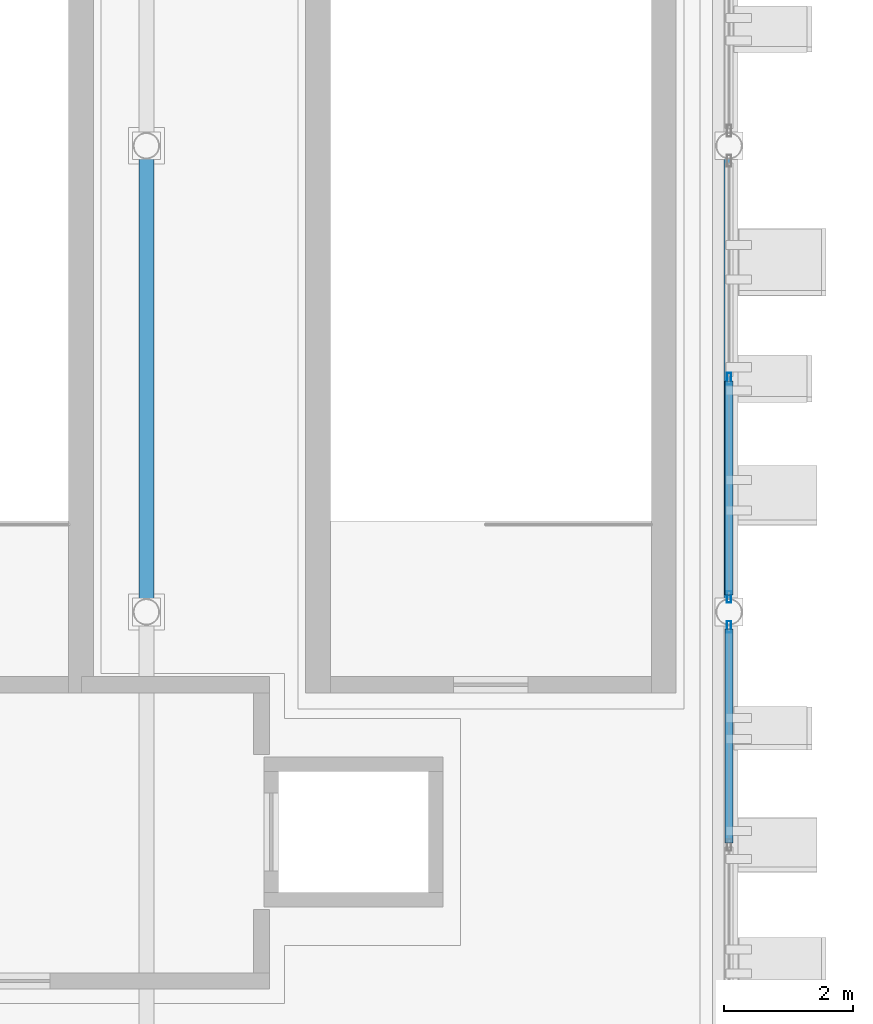
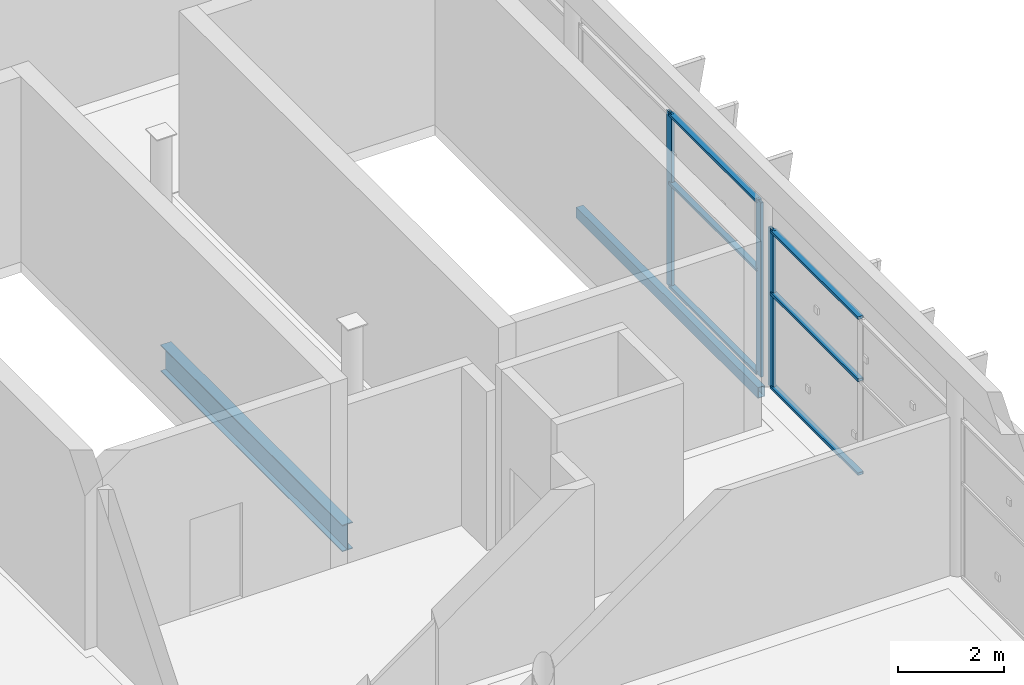
# One storey, part 31 of 52: 9 members, 2 beams, 2 elements without a shape of their own.
"""IFC4 building model written with IfcOpenShell, lengths in metres."""

from ifc_helpers import new_model, si_unit, direction, frame, origin, origin_2d, place, context, subcontext, project, spatial, hollow_rectangle, i_section, extrude, material, layer, layer_set, material_profile, profile_set, type_object, element, aggregate, save


model = new_model("IFC4")

# Units and contexts
model_context = context("Model", 3, precision=1e-05, world=origin(), true_north=direction((0.0, 1.0)))
body_context = subcontext(model_context, "Body", "Model", "MODEL_VIEW")
ifc_project = project(units=[si_unit("LENGTHUNIT", "METRE"), si_unit("AREAUNIT", "SQUARE_METRE"), si_unit("VOLUMEUNIT", "CUBIC_METRE"), si_unit("PLANEANGLEUNIT", "RADIAN"), si_unit("MASSUNIT", "GRAM", prefix="KILO")], contexts=[model_context])

# Site, building, storey
site_placement = place(None, origin())
site = spatial("IfcSite", under=ifc_project, at=site_placement, CompositionType="ELEMENT")
building_placement = place(site_placement, origin())
building = spatial("IfcBuilding", under=site, at=building_placement, Name="Celestram Park Convention Centre", CompositionType="ELEMENT")
storey_placement = place(building_placement, frame((0.0, 0.0, 24.300048828125)))
storey = spatial("IfcBuildingStorey", under=building, at=storey_placement, Name="L05", CompositionType="ELEMENT", Elevation=24.300048828125)

# Curtain wall, members
ifc_material_1 = material(Name="Anodised Aluminium Alloy 6063-T6", Category="aluminium")
ifc_layer_1 = layer(ifc_material_1, 0.179931640625)
ifc_layer_set_1 = layer_set([ifc_layer_1], Name="Anodised Aluminium Alloy 6063-T6")
curtain_wall_type_1 = type_object("IfcCurtainWallType", Name="ARC-CW-680X401", PredefinedType="NOTDEFINED", material=ifc_layer_set_1)
curtain_wall_1_placement = place(storey_placement, origin())
curtain_wall_1 = element("IfcCurtainWall", 1, at=curtain_wall_1_placement, inside=storey, type_object=curtain_wall_type_1, Name="Unitised curtain wall CU-L05-252", PredefinedType="NOTDEFINED")
ifc_material_profile_1 = material_profile(ifc_material_1, hollow_rectangle(XDim=0.06494140625, YDim=0.179931640625, WallThickness=0.00390625, at=origin_2d()), Name="ALU65X180X4")
ifc_profile_set_1 = profile_set([ifc_material_profile_1], Name="Anodised Aluminium Alloy 6063-T6")
member_type_1 = type_object("IfcMemberType", Name="ARC-CWM-150", PredefinedType="MULLION", material=ifc_profile_set_1)
member_1_placement = place(storey_placement, frame((99.0, 154.800048828125, 0.0), z_axis=(0.0, 0.0, 1.0), x_axis=(1.0, 0.0, 0.0)))
member_1 = element("IfcMember", 2, at=member_1_placement, type_object=member_type_1, Name="CW-68X40 mullion 2", PredefinedType="MULLION", context=body_context, shape_type="SweptSolid", body=[
    extrude(hollow_rectangle(XDim=0.06494140625, YDim=0.179931640625, WallThickness=0.00390625, at=origin_2d()), origin(), (0.0, 0.0, 1.0), 4.010009765625),
])
member_2_placement = place(storey_placement, frame((99.0, 151.431396484375, 0.0), z_axis=(0.0, 0.0, 1.0), x_axis=(1.0, 0.0, 0.0)))
member_2 = element("IfcMember", 3, at=member_2_placement, type_object=member_type_1, Name="CW-68X40 mullion 3", PredefinedType="MULLION", context=body_context, shape_type="SweptSolid", body=[
    extrude(hollow_rectangle(XDim=0.06494140625, YDim=0.179931640625, WallThickness=0.00390625, at=origin_2d()), origin(), (0.0, 0.0, 1.0), 4.010009765625),
])

# Curtain wall, member
ifc_layer_2 = layer(ifc_material_1, 0.179931640625)
ifc_layer_set_2 = layer_set([ifc_layer_2], Name="Anodised Aluminium Alloy 6063-T6")
curtain_wall_type_2 = type_object("IfcCurtainWallType", Name="ARC-CW-680X365", PredefinedType="NOTDEFINED", material=ifc_layer_set_2)
curtain_wall_2_placement = place(storey_placement, origin())
curtain_wall_2 = element("IfcCurtainWall", 4, at=curtain_wall_2_placement, inside=storey, type_object=curtain_wall_type_2, Name="Unitised curtain wall CU-L05-253", PredefinedType="NOTDEFINED")
member_3_placement = place(storey_placement, frame((99.0, 150.968505859375, 0.0), z_axis=(0.0, 0.0, 1.0), x_axis=(1.0, 0.0, 0.0)))
member_3 = element("IfcMember", 5, at=member_3_placement, type_object=member_type_1, Name="CW-68X36 mullion 1", PredefinedType="MULLION", context=body_context, shape_type="SweptSolid", body=[
    extrude(hollow_rectangle(XDim=0.06494140625, YDim=0.179931640625, WallThickness=0.00390625, at=origin_2d()), origin(), (0.0, 0.0, 1.0), 3.64794921875),
])

# Member
ifc_material_profile_2 = material_profile(ifc_material_1, hollow_rectangle(XDim=0.1201171875, YDim=0.06005859375, WallThickness=0.0029296875, at=origin_2d()), Name="ALU120X60X3")
ifc_profile_set_2 = profile_set([ifc_material_profile_2], Name="Anodised Aluminium Alloy 6063-T6")
member_type_2 = type_object("IfcMemberType", Name="ARC-CWT-120", PredefinedType="USERDEFINED", material=ifc_profile_set_2)
member_4_placement = place(storey_placement, frame((99.0, 154.767578125, 0.030029296875), z_axis=(0.0, -1.0, 0.0), x_axis=(1.0, 0.0, 0.0)))
member_4 = element("IfcMember", 6, at=member_4_placement, type_object=member_type_2, Name="CW-68X40 transom 2.1", ObjectType="TRANSOM", PredefinedType="USERDEFINED", context=body_context, shape_type="SweptSolid", body=[
    extrude(hollow_rectangle(XDim=0.1201171875, YDim=0.06005859375, WallThickness=0.0029296875, at=origin_2d()), origin(), (0.0, 0.0, 1.0), 3.303466796875),
])

member_5_placement = place(storey_placement, frame((99.0, 154.767578125, 2.406005859375), z_axis=(0.0, -1.0, 0.0), x_axis=(1.0, 0.0, 0.0)))
member_5 = element("IfcMember", 7, at=member_5_placement, type_object=member_type_2, Name="CW-68X40 transom 2.2", ObjectType="TRANSOM", PredefinedType="USERDEFINED", context=body_context, shape_type="SweptSolid", body=[
    extrude(hollow_rectangle(XDim=0.1201171875, YDim=0.06005859375, WallThickness=0.0029296875, at=origin_2d()), origin(), (0.0, 0.0, 1.0), 3.303466796875),
])

member_6_placement = place(storey_placement, frame((99.0, 154.767578125, 3.97998046875), z_axis=(0.0, -1.0, 0.0), x_axis=(1.0, 0.0, 0.0)))
member_6 = element("IfcMember", 8, at=member_6_placement, type_object=member_type_2, Name="CW-68X40 transom 2.3", ObjectType="TRANSOM", PredefinedType="USERDEFINED", context=body_context, shape_type="SweptSolid", body=[
    extrude(hollow_rectangle(XDim=0.1201171875, YDim=0.06005859375, WallThickness=0.0029296875, at=origin_2d()), origin(), (0.0, 0.0, 1.0), 3.303466796875),
])

aggregate(curtain_wall_1, [member_1, member_2, member_4, member_5, member_6])

member_7_placement = place(storey_placement, frame((99.0, 150.93603515625, 0.030029296875), z_axis=(0.0, -1.0, 0.0), x_axis=(1.0, 0.0, 0.0)))
member_7 = element("IfcMember", 9, at=member_7_placement, type_object=member_type_2, Name="CW-68X36 transom 1.1", ObjectType="TRANSOM", PredefinedType="USERDEFINED", context=body_context, shape_type="SweptSolid", body=[
    extrude(hollow_rectangle(XDim=0.1201171875, YDim=0.06005859375, WallThickness=0.0029296875, at=origin_2d()), origin(), (0.0, 0.0, 1.0), 3.303466796875),
])

member_8_placement = place(storey_placement, frame((99.0, 150.93603515625, 2.18896484375), z_axis=(0.0, -1.0, 0.0), x_axis=(1.0, 0.0, 0.0)))
member_8 = element("IfcMember", 10, at=member_8_placement, type_object=member_type_2, Name="CW-68X36 transom 1.2", ObjectType="TRANSOM", PredefinedType="USERDEFINED", context=body_context, shape_type="SweptSolid", body=[
    extrude(hollow_rectangle(XDim=0.1201171875, YDim=0.06005859375, WallThickness=0.0029296875, at=origin_2d()), origin(), (0.0, 0.0, 1.0), 3.303466796875),
])

member_9_placement = place(storey_placement, frame((99.0, 150.93603515625, 3.617919921875), z_axis=(0.0, -1.0, 0.0), x_axis=(1.0, 0.0, 0.0)))
member_9 = element("IfcMember", 11, at=member_9_placement, type_object=member_type_2, Name="CW-68X36 transom 1.3", ObjectType="TRANSOM", PredefinedType="USERDEFINED", context=body_context, shape_type="SweptSolid", body=[
    extrude(hollow_rectangle(XDim=0.1201171875, YDim=0.06005859375, WallThickness=0.0029296875, at=origin_2d()), origin(), (0.0, 0.0, 1.0), 3.303466796875),
])

aggregate(curtain_wall_2, [member_3, member_7, member_8, member_9])

# Beams
ifc_material_2 = material(Name="Steel ASTM A992 Grade 50", Category="steel")
ifc_material_profile_3 = material_profile(ifc_material_2, i_section(OverallWidth=0.22900390625, OverallDepth=0.612060546875, WebThickness=0.011962890625, FlangeThickness=0.01953125, at=origin_2d()), Name="W24X84")
ifc_profile_set_3 = profile_set([ifc_material_profile_3], Name="Steel ASTM A992 Grade 50")
beam_type_1 = type_object("IfcBeamType", Name="STR-BM-W24X84", PredefinedType="BEAM", material=ifc_profile_set_3)
beam_1_placement = place(storey_placement, frame((90.0, 151.3759765625, -0.546142578125), z_axis=(0.0, 1.0, 0.0), x_axis=(-1.0, 0.0, 0.0)))
element("IfcBeam", 12, at=beam_1_placement, inside=storey, type_object=beam_type_1, Name="Primary Y-girder BG-L05-0097", PredefinedType="BEAM", context=body_context, shape_type="SweptSolid", body=[
    extrude(i_section(OverallWidth=0.22900390625, OverallDepth=0.612060546875, WebThickness=0.011962890625, FlangeThickness=0.01953125, at=origin_2d()), origin(), (0.0, 0.0, 1.0), 6.84814453125),
])
ifc_material_3 = material(Name="Steel ASTM A500 Grade C", Category="steel")
ifc_material_profile_4 = material_profile(ifc_material_3, hollow_rectangle(XDim=0.14990234375, YDim=0.25, WallThickness=0.010009765625, at=origin_2d()), Name="HSS250X150X10")
ifc_profile_set_4 = profile_set([ifc_material_profile_4], Name="Steel ASTM A500 Grade C")
beam_type_2 = type_object("IfcBeamType", Name="STR-SPN-HSS250X150", PredefinedType="SPANDREL", material=ifc_profile_set_4)
beam_2_placement = place(storey_placement, frame((99.0, 151.3759765625, -0.364990234375), z_axis=(0.0, 1.0, 0.0), x_axis=(-1.0, 0.0, 0.0)))
element("IfcBeam", 13, at=beam_2_placement, inside=storey, type_object=beam_type_2, Name="Primary Y-girder BG-L05-0107", PredefinedType="SPANDREL", context=body_context, shape_type="SweptSolid", body=[
    extrude(hollow_rectangle(XDim=0.14990234375, YDim=0.25, WallThickness=0.010009765625, at=origin_2d()), origin(), (0.0, 0.0, 1.0), 6.84814453125),
])

save(model, "model.ifc")
